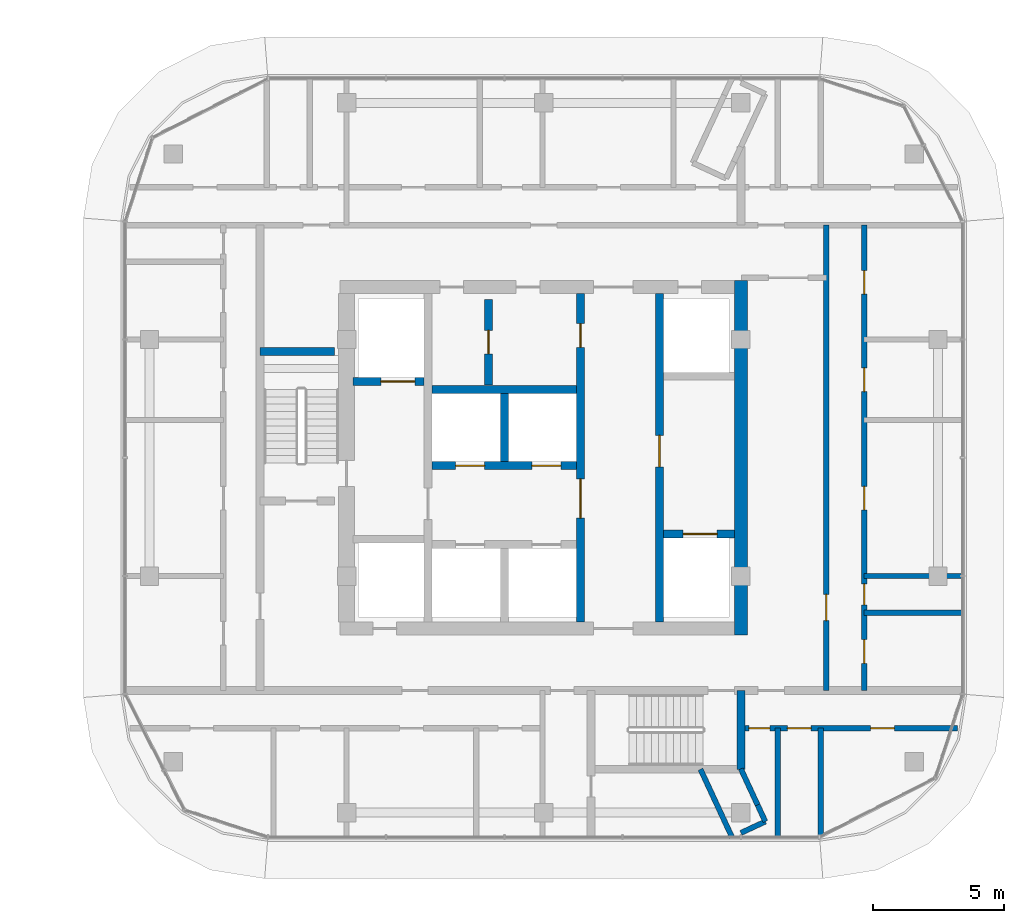
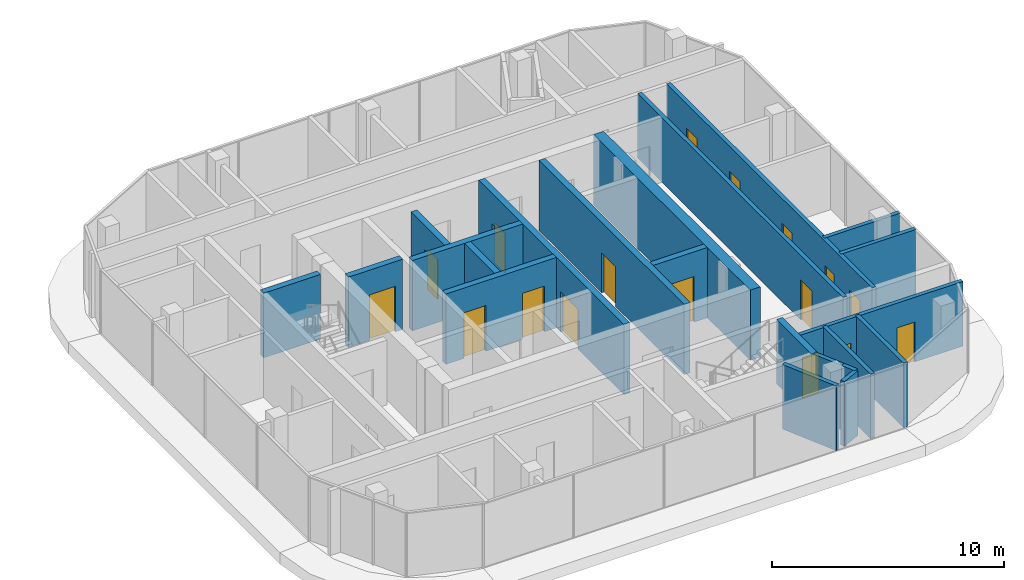
# One storey, part 27 of 40: 22 walls, 17 doors, 17 openings.
"""IFC4 building model written with IfcOpenShell, lengths in metres."""

from ifc_helpers import new_model, si_unit, direction, frame, frame_2d, origin, place, context, subcontext, project, spatial, rectangle, extrude, material, layer, layer_set, type_object, element, fill, save


model = new_model("IFC4")

# Units and contexts
model_context = context("Model", 3, precision=1e-05, world=origin(), true_north=direction((0.0, 1.0)))
body_context = subcontext(model_context, "Body", "Model", "MODEL_VIEW")
ifc_project = project(units=[si_unit("LENGTHUNIT", "METRE"), si_unit("AREAUNIT", "SQUARE_METRE"), si_unit("VOLUMEUNIT", "CUBIC_METRE"), si_unit("PLANEANGLEUNIT", "RADIAN"), si_unit("MASSUNIT", "GRAM", prefix="KILO")], contexts=[model_context])

# Site, building, storey
site_placement = place(None, origin())
site = spatial("IfcSite", under=ifc_project, at=site_placement, CompositionType="ELEMENT")
building_placement = place(site_placement, origin())
building = spatial("IfcBuilding", under=site, at=building_placement, Name="Ogive Portal Towers", CompositionType="ELEMENT")
storey_placement = place(building_placement, frame((0.0, 0.0, 87.10009765625)))
storey = spatial("IfcBuildingStorey", under=building, at=storey_placement, Name="L20", CompositionType="ELEMENT", Elevation=87.10009765625)

# Wall, openings, doors
ifc_material_1 = material(Name="Concrete C60/75", Category="concrete")
ifc_layer_1 = layer(ifc_material_1, 0.300048828125)
ifc_layer_set_1 = layer_set([ifc_layer_1], Name="CORE WALL 300 C60")
wall_type_1 = type_object("IfcWallType", Name="CORE WALL 300 C60", PredefinedType="SHEAR", material=ifc_layer_set_1)
wall_1_placement = place(storey_placement, frame((137.89990234375, 24.75, 0.0), z_axis=(0.0, 0.0, 1.0), x_axis=(0.0, 1.0, 0.0)))
wall_1 = element("IfcWall", 1, at=wall_1_placement, inside=storey, type_object=wall_type_1, Name="Tower B core wall BX2 L20", PredefinedType="SHEAR", context=body_context, shape_type="SweptSolid", body=[
    extrude(rectangle(XDim=12.5, YDim=0.300048828125, at=frame_2d((6.25, 0.0))), origin(), (0.0, 0.0, 1.0), 3.699951171875),
])
opening_1_placement = place(wall_1_placement, frame((3.949951171875, 0.0, 0.0)))
opening_1 = element("IfcOpeningElement", 2, at=opening_1_placement, cuts=wall_1, Name="Opening B07-041", PredefinedType="OPENING", context=body_context, shape_type="SweptSolid", body=[
    extrude(rectangle(XDim=1.5, YDim=2.10009765625, at=frame_2d((0.75, 1.050048828125))), frame((0.0, 0.16015625, 0.0), z_axis=(0.0, -1.0, 0.0), x_axis=(1.0, 0.0, 0.0)), (0.0, 0.0, 1.0), 0.320068359375),
])
opening_2_placement = place(wall_1_placement, frame((10.449951171875, 0.0, 0.0)))
opening_2 = element("IfcOpeningElement", 3, at=opening_2_placement, cuts=wall_1, Name="Opening B07-057", PredefinedType="OPENING", context=body_context, shape_type="SweptSolid", body=[
    extrude(rectangle(XDim=0.89990234375, YDim=2.10009765625, at=frame_2d((0.449951171875, 1.050048828125))), frame((0.0, 0.16015625, 0.0), z_axis=(0.0, -1.0, 0.0), x_axis=(1.0, 0.0, 0.0)), (0.0, 0.0, 1.0), 0.320068359375),
])
ifc_material_2 = material(Name="Steel fire door", Category="steel")
door_type_1 = type_object("IfcDoorType", Name="DT-SWING-1500x2100-FD90S", OperationType="SINGLE_SWING_LEFT", PredefinedType="DOOR", material=ifc_material_2)
door_1_placement = place(opening_1_placement, origin())
door_1 = element("IfcDoor", 4, at=door_1_placement, inside=storey, type_object=door_type_1, Name="Door B07-041", OperationType="SINGLE_SWING_RIGHT", OverallHeight=2.10009765625, OverallWidth=1.5, PredefinedType="DOOR", context=body_context, shape_type="SweptSolid", body=[
    extrude(rectangle(XDim=1.5, YDim=2.10009765625, at=frame_2d((0.75, 1.050048828125))), frame((0.0, 0.02490234375, 0.0), z_axis=(0.0, -1.0, 0.0), x_axis=(1.0, 0.0, 0.0)), (0.0, 0.0, 1.0), 0.050048828125),
])
fill(opening_1, door_1)
door_type_2 = type_object("IfcDoorType", Name="DT-SWING-900x2100-FD90S", OperationType="SINGLE_SWING_LEFT", PredefinedType="DOOR", material=ifc_material_2)
door_2_placement = place(opening_2_placement, origin())
door_2 = element("IfcDoor", 5, at=door_2_placement, inside=storey, type_object=door_type_2, Name="Door B07-057", OperationType="SINGLE_SWING_RIGHT", OverallHeight=2.10009765625, OverallWidth=0.89990234375, PredefinedType="DOOR", context=body_context, shape_type="SweptSolid", body=[
    extrude(rectangle(XDim=0.89990234375, YDim=2.10009765625, at=frame_2d((0.449951171875, 1.050048828125))), frame((0.0, 0.02490234375, 0.0), z_axis=(0.0, -1.0, 0.0), x_axis=(1.0, 0.0, 0.0)), (0.0, 0.0, 1.0), 0.050048828125),
])
fill(opening_2, door_2)

# Wall, opening, door
wall_2_placement = place(storey_placement, frame((140.89990234375, 24.75, 0.0), z_axis=(0.0, 0.0, 1.0), x_axis=(0.0, 1.0, 0.0)))
wall_2 = element("IfcWall", 6, at=wall_2_placement, inside=storey, type_object=wall_type_1, Name="Tower B core wall BX3 L20", PredefinedType="SHEAR", context=body_context, shape_type="SweptSolid", body=[
    extrude(rectangle(XDim=12.5, YDim=0.300048828125, at=frame_2d((6.25, 0.0))), origin(), (0.0, 0.0, 1.0), 3.699951171875),
])
opening_3_placement = place(wall_2_placement, frame((5.89990234375, 0.0, 0.0)))
opening_3 = element("IfcOpeningElement", 7, at=opening_3_placement, cuts=wall_2, Name="Opening B07-043", PredefinedType="OPENING", context=body_context, shape_type="SweptSolid", body=[
    extrude(rectangle(XDim=1.199951171875, YDim=2.10009765625, at=frame_2d((0.60009765625, 1.050048828125))), frame((0.0, 0.16015625, 0.0), z_axis=(0.0, -1.0, 0.0), x_axis=(1.0, 0.0, 0.0)), (0.0, 0.0, 1.0), 0.320068359375),
])
door_type_3 = type_object("IfcDoorType", Name="DT-SWING-1200x2100-FD90S", OperationType="SINGLE_SWING_LEFT", PredefinedType="DOOR", material=ifc_material_2)
door_3_placement = place(opening_3_placement, origin())
door_3 = element("IfcDoor", 8, at=door_3_placement, inside=storey, type_object=door_type_3, Name="Door B07-043", OperationType="SINGLE_SWING_RIGHT", OverallHeight=2.10009765625, OverallWidth=1.199951171875, PredefinedType="DOOR", context=body_context, shape_type="SweptSolid", body=[
    extrude(rectangle(XDim=1.199951171875, YDim=2.10009765625, at=frame_2d((0.60009765625, 1.050048828125))), frame((0.0, 0.02490234375, 0.0), z_axis=(0.0, -1.0, 0.0), x_axis=(1.0, 0.0, 0.0)), (0.0, 0.0, 1.0), 0.050048828125),
])
fill(opening_3, door_3)

# Wall
wall_3_placement = place(storey_placement, frame((135.0, 30.85009765625, 0.0), z_axis=(0.0, 0.0, 1.0), x_axis=(0.0, 1.0, 0.0)))
element("IfcWall", 9, at=wall_3_placement, inside=storey, type_object=wall_type_1, Name="Tower B core wall BX5 L20", PredefinedType="SHEAR", context=body_context, shape_type="SweptSolid", body=[
    extrude(rectangle(XDim=2.599853515625, YDim=0.300048828125, at=frame_2d((1.2998046875, 0.0))), origin(), (0.0, 0.0, 1.0), 3.699951171875),
])

# Wall, openings, doors
wall_4_placement = place(storey_placement, frame((132.25, 30.699951171875, 0.0), z_axis=(0.0, 0.0, 1.0), x_axis=(1.0, 0.0, 0.0)))
wall_4 = element("IfcWall", 10, at=wall_4_placement, inside=storey, type_object=wall_type_1, Name="Tower B core wall BY2 L20", PredefinedType="SHEAR", context=body_context, shape_type="SweptSolid", body=[
    extrude(rectangle(XDim=5.5, YDim=0.300048828125, at=frame_2d((2.75, 0.0))), origin(), (0.0, 0.0, 1.0), 3.699951171875),
])
opening_4_placement = place(wall_4_placement, frame((0.89990234375, 0.0, 0.0)))
opening_4 = element("IfcOpeningElement", 11, at=opening_4_placement, cuts=wall_4, Name="Opening B07-051", PredefinedType="OPENING", context=body_context, shape_type="SweptSolid", body=[
    extrude(rectangle(XDim=1.10009765625, YDim=2.39990234375, at=frame_2d((0.550048828125, 1.199951171875))), frame((0.0, 0.16015625, 0.0), z_axis=(0.0, -1.0, 0.0), x_axis=(1.0, 0.0, 0.0)), (0.0, 0.0, 1.0), 0.320068359375),
])
opening_5_placement = place(wall_4_placement, frame((3.800048828125, 0.0, 0.0)))
opening_5 = element("IfcOpeningElement", 12, at=opening_5_placement, cuts=wall_4, Name="Opening B07-052", PredefinedType="OPENING", context=body_context, shape_type="SweptSolid", body=[
    extrude(rectangle(XDim=1.10009765625, YDim=2.39990234375, at=frame_2d((0.550048828125, 1.199951171875))), frame((0.0, 0.16015625, 0.0), z_axis=(0.0, -1.0, 0.0), x_axis=(1.0, 0.0, 0.0)), (0.0, 0.0, 1.0), 0.320068359375),
])
ifc_material_3 = material(Name="Stainless steel", Category="steel")
door_type_4 = type_object("IfcDoorType", Name="DT-LD-1100x2400", OperationType="SLIDING_TO_LEFT", PredefinedType="DOOR", material=ifc_material_3)
door_4_placement = place(opening_4_placement, origin())
door_4 = element("IfcDoor", 13, at=door_4_placement, inside=storey, type_object=door_type_4, Name="Door B07-051", OperationType="SLIDING_TO_LEFT", OverallHeight=2.39990234375, OverallWidth=1.10009765625, PredefinedType="DOOR", context=body_context, shape_type="SweptSolid", body=[
    extrude(rectangle(XDim=1.10009765625, YDim=2.39990234375, at=frame_2d((0.550048828125, 1.199951171875))), frame((0.0, 0.02490234375, 0.0), z_axis=(0.0, -1.0, 0.0), x_axis=(1.0, 0.0, 0.0)), (0.0, 0.0, 1.0), 0.050048828125),
])
fill(opening_4, door_4)
door_5_placement = place(opening_5_placement, origin())
door_5 = element("IfcDoor", 14, at=door_5_placement, inside=storey, type_object=door_type_4, Name="Door B07-052", OperationType="SLIDING_TO_LEFT", OverallHeight=2.39990234375, OverallWidth=1.10009765625, PredefinedType="DOOR", context=body_context, shape_type="SweptSolid", body=[
    extrude(rectangle(XDim=1.10009765625, YDim=2.39990234375, at=frame_2d((0.550048828125, 1.199951171875))), frame((0.0, 0.02490234375, 0.0), z_axis=(0.0, -1.0, 0.0), x_axis=(1.0, 0.0, 0.0)), (0.0, 0.0, 1.0), 0.050048828125),
])
fill(opening_5, door_5)

# Wall
wall_5_placement = place(storey_placement, frame((132.25, 33.60009765625, 0.0), z_axis=(0.0, 0.0, 1.0), x_axis=(1.0, 0.0, 0.0)))
element("IfcWall", 15, at=wall_5_placement, inside=storey, type_object=wall_type_1, Name="Tower B core wall BY3 L20", PredefinedType="SHEAR", context=body_context, shape_type="SweptSolid", body=[
    extrude(rectangle(XDim=5.5, YDim=0.300048828125, at=frame_2d((2.75, 0.0))), origin(), (0.0, 0.0, 1.0), 3.699951171875),
])

# Wall, opening, door
wall_6_placement = place(storey_placement, frame((129.25, 33.89990234375, 0.0), z_axis=(0.0, 0.0, 1.0), x_axis=(1.0, 0.0, 0.0)))
wall_6 = element("IfcWall", 16, at=wall_6_placement, inside=storey, type_object=wall_type_1, Name="Tower B core wall BY5 L20", PredefinedType="SHEAR", context=body_context, shape_type="SweptSolid", body=[
    extrude(rectangle(XDim=2.699951171875, YDim=0.300048828125, at=frame_2d((1.35009765625, 0.0))), origin(), (0.0, 0.0, 1.0), 3.699951171875),
])
opening_6_placement = place(wall_6_placement, frame((1.050048828125, 0.0, 0.0)))
opening_6 = element("IfcOpeningElement", 17, at=opening_6_placement, cuts=wall_6, Name="Opening B07-053", PredefinedType="OPENING", context=body_context, shape_type="SweptSolid", body=[
    extrude(rectangle(XDim=1.300048828125, YDim=2.39990234375, at=frame_2d((0.64990234375, 1.199951171875))), frame((0.0, 0.16015625, 0.0), z_axis=(0.0, -1.0, 0.0), x_axis=(1.0, 0.0, 0.0)), (0.0, 0.0, 1.0), 0.320068359375),
])
door_type_5 = type_object("IfcDoorType", Name="DT-LD-1300x2400", OperationType="SLIDING_TO_LEFT", PredefinedType="DOOR", material=ifc_material_3)
door_6_placement = place(opening_6_placement, origin())
door_6 = element("IfcDoor", 18, at=door_6_placement, inside=storey, type_object=door_type_5, Name="Door B07-053", OperationType="SLIDING_TO_LEFT", OverallHeight=2.39990234375, OverallWidth=1.300048828125, PredefinedType="DOOR", context=body_context, shape_type="SweptSolid", body=[
    extrude(rectangle(XDim=1.300048828125, YDim=2.39990234375, at=frame_2d((0.64990234375, 1.199951171875))), frame((0.0, 0.02490234375, 0.0), z_axis=(0.0, -1.0, 0.0), x_axis=(1.0, 0.0, 0.0)), (0.0, 0.0, 1.0), 0.050048828125),
])
fill(opening_6, door_6)

wall_7_placement = place(storey_placement, frame((141.050048828125, 28.10009765625, 0.0), z_axis=(0.0, 0.0, 1.0), x_axis=(1.0, 0.0, 0.0)))
wall_7 = element("IfcWall", 19, at=wall_7_placement, inside=storey, type_object=wall_type_1, Name="Tower B core wall BY6 L20", PredefinedType="SHEAR", context=body_context, shape_type="SweptSolid", body=[
    extrude(rectangle(XDim=2.699951171875, YDim=0.300048828125, at=frame_2d((1.35009765625, 0.0))), origin(), (0.0, 0.0, 1.0), 3.699951171875),
])
opening_7_placement = place(wall_7_placement, frame((0.75, 0.0, 0.0)))
opening_7 = element("IfcOpeningElement", 20, at=opening_7_placement, cuts=wall_7, Name="Opening B07-054", PredefinedType="OPENING", context=body_context, shape_type="SweptSolid", body=[
    extrude(rectangle(XDim=1.300048828125, YDim=2.39990234375, at=frame_2d((0.64990234375, 1.199951171875))), frame((0.0, 0.16015625, 0.0), z_axis=(0.0, -1.0, 0.0), x_axis=(1.0, 0.0, 0.0)), (0.0, 0.0, 1.0), 0.320068359375),
])
door_7_placement = place(opening_7_placement, origin())
door_7 = element("IfcDoor", 21, at=door_7_placement, inside=storey, type_object=door_type_5, Name="Door B07-054", OperationType="SLIDING_TO_LEFT", OverallHeight=2.39990234375, OverallWidth=1.300048828125, PredefinedType="DOOR", context=body_context, shape_type="SweptSolid", body=[
    extrude(rectangle(XDim=1.300048828125, YDim=2.39990234375, at=frame_2d((0.64990234375, 1.199951171875))), frame((0.0, 0.02490234375, 0.0), z_axis=(0.0, -1.0, 0.0), x_axis=(1.0, 0.0, 0.0)), (0.0, 0.0, 1.0), 0.050048828125),
])
fill(opening_7, door_7)

# Walls
ifc_layer_2 = layer(ifc_material_1, 0.5)
ifc_layer_set_2 = layer_set([ifc_layer_2], Name="CORE WALL 500 C60")
wall_type_2 = type_object("IfcWallType", Name="CORE WALL 500 C60", PredefinedType="SHEAR", material=ifc_layer_set_2)
wall_8_placement = place(storey_placement, frame((144.0, 24.25, 0.0), z_axis=(0.0, 0.0, 1.0), x_axis=(0.0, 1.0, 0.0)))
element("IfcWall", 22, at=wall_8_placement, inside=storey, type_object=wall_type_2, Name="Tower B core wall BE L20", PredefinedType="SHEAR", context=body_context, shape_type="SweptSolid", body=[
    extrude(rectangle(XDim=13.5, YDim=0.5, at=frame_2d((6.75, 0.0))), origin(), (0.0, 0.0, 1.0), 3.699951171875),
])
ifc_material_4 = material(Name="Concrete C50/60", Category="concrete")
ifc_layer_3 = layer(ifc_material_4, 0.300048828125)
ifc_layer_set_3 = layer_set([ifc_layer_3], Name="STAIR WALL 300 C50")
wall_type_3 = type_object("IfcWallType", Name="STAIR WALL 300 C50", PredefinedType="SHEAR", material=ifc_layer_set_3)
wall_9_placement = place(storey_placement, frame((125.699951171875, 35.050048828125, 0.0), z_axis=(0.0, 0.0, 1.0), x_axis=(1.0, 0.0, 0.0)))
element("IfcWall", 23, at=wall_9_placement, inside=storey, type_object=wall_type_3, Name="Stair wall ST-B1 L20", PredefinedType="SHEAR", context=body_context, shape_type="SweptSolid", body=[
    extrude(rectangle(XDim=2.830078125, YDim=0.300048828125, at=frame_2d((1.4150390625, 0.0))), origin(), (0.0, 0.0, 1.0), 3.39990234375),
])
wall_10_placement = place(storey_placement, frame((144.0, 19.14990234375, 0.0), z_axis=(0.0, 0.0, 1.0), x_axis=(0.0, 1.0, 0.0)))
element("IfcWall", 24, at=wall_10_placement, inside=storey, type_object=wall_type_3, Name="Stair wall ST-B2 L20", PredefinedType="SHEAR", context=body_context, shape_type="SweptSolid", body=[
    extrude(rectangle(XDim=3.0, YDim=0.300048828125, at=frame_2d((1.5, 0.0))), origin(), (0.0, 0.0, 1.0), 3.39990234375),
])
ifc_material_5 = material(Name="Gypsum board partition on steel studs", Category="steel")
ifc_layer_4 = layer(ifc_material_5, 0.199951171875)
ifc_layer_set_4 = layer_set([ifc_layer_4], Name="WT-PART-200-EI 60")
wall_type_4 = type_object("IfcWallType", Name="WT-PART-200-EI 60", PredefinedType="PARTITIONING", material=ifc_layer_set_4)
wall_11_placement = place(storey_placement, frame((142.462890625, 19.14990234375, 0.0), z_axis=(0.0, 0.0, 1.0), x_axis=(0.421030913131, -0.90704628889, 0.0)))
element("IfcWall", 25, at=wall_11_placement, inside=storey, type_object=wall_type_4, Name="Wall L20:w002", PredefinedType="PARTITIONING", context=body_context, shape_type="SweptSolid", body=[
    extrude(rectangle(XDim=2.855224609375, YDim=0.199951171875, at=frame_2d((1.427734375, 0.0))), origin(), (0.0, 0.0, 1.0), 3.39990234375),
])
wall_12_placement = place(storey_placement, frame((144.0, 16.72802734375, 0.0), z_axis=(0.0, 0.0, 1.0), x_axis=(0.906960240365, 0.42121624185, 0.0)))
element("IfcWall", 26, at=wall_12_placement, inside=storey, type_object=wall_type_4, Name="Wall L20:w007", PredefinedType="PARTITIONING", context=body_context, shape_type="SweptSolid", body=[
    extrude(rectangle(XDim=1.025390625, YDim=0.199951171875, at=frame_2d((0.5126953125, 0.0))), origin(), (0.0, 0.0, 1.0), 3.39990234375),
])
wall_13_placement = place(storey_placement, frame((144.0, 19.1630859375, 0.0), z_axis=(0.0, 0.0, 1.0), x_axis=(0.420997169079, -0.907061951372, 0.0)))
element("IfcWall", 27, at=wall_13_placement, inside=storey, type_object=wall_type_4, Name="Wall L20:w009", PredefinedType="PARTITIONING", context=body_context, shape_type="SweptSolid", body=[
    extrude(rectangle(XDim=1.50830078125, YDim=0.199951171875, at=frame_2d((0.754150390625, 0.0))), origin(), (0.0, 0.0, 1.0), 3.39990234375),
])
wall_14_placement = place(storey_placement, frame((144.635009765625, 17.794921875, 0.0), z_axis=(0.0, 0.0, 1.0), x_axis=(0.421223998033, -0.906956638148, 0.0)))
element("IfcWall", 28, at=wall_14_placement, inside=storey, type_object=wall_type_4, Name="Wall L20:w010", PredefinedType="PARTITIONING", context=body_context, shape_type="SweptSolid", body=[
    extrude(rectangle(XDim=0.7001953125, YDim=0.199951171875, at=frame_2d((0.35009765625, 0.0))), origin(), (0.0, 0.0, 1.0), 3.39990234375),
])

# Wall, openings, doors
wall_15_placement = place(storey_placement, frame((144.0, 20.7099609375, 0.0), z_axis=(0.0, 0.0, 1.0), x_axis=(1.0, 0.0, 0.0)))
wall_15 = element("IfcWall", 29, at=wall_15_placement, inside=storey, type_object=wall_type_4, Name="Wall L20:w014", PredefinedType="PARTITIONING", context=body_context, shape_type="SweptSolid", body=[
    extrude(rectangle(XDim=8.235107421875, YDim=0.199951171875, at=frame_2d((4.11767578125, 0.0))), origin(), (0.0, 0.0, 1.0), 3.39990234375),
])
opening_8_placement = place(wall_15_placement, frame((0.300048828125, 0.0, 0.0)))
opening_8 = element("IfcOpeningElement", 30, at=opening_8_placement, cuts=wall_15, Name="Opening B07-024", PredefinedType="OPENING", context=body_context, shape_type="SweptSolid", body=[
    extrude(rectangle(XDim=0.800048828125, YDim=2.10009765625, at=frame_2d((0.39990234375, 1.050048828125))), frame((0.0, 0.10986328125, 0.0), z_axis=(0.0, -1.0, 0.0), x_axis=(1.0, 0.0, 0.0)), (0.0, 0.0, 1.0), 0.219970703125),
])
opening_9_placement = place(wall_15_placement, frame((1.76904296875, 0.0, 0.0)))
opening_9 = element("IfcOpeningElement", 31, at=opening_9_placement, cuts=wall_15, Name="Opening B07-025", PredefinedType="OPENING", context=body_context, shape_type="SweptSolid", body=[
    extrude(rectangle(XDim=0.89990234375, YDim=2.10009765625, at=frame_2d((0.449951171875, 1.050048828125))), frame((0.0, 0.10986328125, 0.0), z_axis=(0.0, -1.0, 0.0), x_axis=(1.0, 0.0, 0.0)), (0.0, 0.0, 1.0), 0.219970703125),
])
opening_10_placement = place(wall_15_placement, frame((4.93798828125, 0.0, 0.0)))
opening_10 = element("IfcOpeningElement", 32, at=opening_10_placement, cuts=wall_15, Name="Opening B07-026", PredefinedType="OPENING", context=body_context, shape_type="SweptSolid", body=[
    extrude(rectangle(XDim=0.89990234375, YDim=2.10009765625, at=frame_2d((0.449951171875, 1.050048828125))), frame((0.0, 0.10986328125, 0.0), z_axis=(0.0, -1.0, 0.0), x_axis=(1.0, 0.0, 0.0)), (0.0, 0.0, 1.0), 0.219970703125),
])
door_type_6 = type_object("IfcDoorType", Name="DT-SWING-800x2100-FD60S", OperationType="SINGLE_SWING_LEFT", PredefinedType="DOOR", material=ifc_material_2)
door_8_placement = place(opening_8_placement, origin())
door_8 = element("IfcDoor", 33, at=door_8_placement, inside=storey, type_object=door_type_6, Name="Door B07-024", OperationType="SINGLE_SWING_RIGHT", OverallHeight=2.10009765625, OverallWidth=0.800048828125, PredefinedType="DOOR", context=body_context, shape_type="SweptSolid", body=[
    extrude(rectangle(XDim=0.800048828125, YDim=2.10009765625, at=frame_2d((0.39990234375, 1.050048828125))), frame((0.0, 0.02490234375, 0.0), z_axis=(0.0, -1.0, 0.0), x_axis=(1.0, 0.0, 0.0)), (0.0, 0.0, 1.0), 0.050048828125),
])
fill(opening_8, door_8)
door_type_7 = type_object("IfcDoorType", Name="DT-SWING-900x2100-FD60S", OperationType="SINGLE_SWING_LEFT", PredefinedType="DOOR", material=ifc_material_2)
door_9_placement = place(opening_9_placement, origin())
door_9 = element("IfcDoor", 34, at=door_9_placement, inside=storey, type_object=door_type_7, Name="Door B07-025", OperationType="SINGLE_SWING_LEFT", OverallHeight=2.10009765625, OverallWidth=0.89990234375, PredefinedType="DOOR", context=body_context, shape_type="SweptSolid", body=[
    extrude(rectangle(XDim=0.89990234375, YDim=2.10009765625, at=frame_2d((0.449951171875, 1.050048828125))), frame((0.0, 0.02490234375, 0.0), z_axis=(0.0, -1.0, 0.0), x_axis=(1.0, 0.0, 0.0)), (0.0, 0.0, 1.0), 0.050048828125),
])
fill(opening_9, door_9)
door_10_placement = place(opening_10_placement, origin())
door_10 = element("IfcDoor", 35, at=door_10_placement, inside=storey, type_object=door_type_7, Name="Door B07-026", OperationType="SINGLE_SWING_RIGHT", OverallHeight=2.10009765625, OverallWidth=0.89990234375, PredefinedType="DOOR", context=body_context, shape_type="SweptSolid", body=[
    extrude(rectangle(XDim=0.89990234375, YDim=2.10009765625, at=frame_2d((0.449951171875, 1.050048828125))), frame((0.0, 0.02490234375, 0.0), z_axis=(0.0, -1.0, 0.0), x_axis=(1.0, 0.0, 0.0)), (0.0, 0.0, 1.0), 0.050048828125),
])
fill(opening_10, door_10)

# Walls
for number, where, z_axis, x_axis, name in (
    (36, (148.68994140625, 25.10595703125, 0.0), (0.0, 0.0, 1.0), (1.0, 0.0, 0.0), "Wall L20:w018"),
    (37, (148.68994140625, 26.5, 0.0), (0.0, 0.0, 1.0), (1.0, 0.0, 0.0), "Wall L20:w020"),
):
    element("IfcWall", number, at=place(storey_placement, frame(where, z_axis=z_axis, x_axis=x_axis)), inside=storey, type_object=wall_type_4, Name=name, PredefinedType="PARTITIONING", context=body_context, shape_type="SweptSolid", body=[
        extrude(rectangle(XDim=3.75, YDim=0.199951171875, at=frame_2d((1.875, 0.0))), origin(), (0.0, 0.0, 1.0), 3.39990234375),
    ])
wall_16_placement = place(storey_placement, frame((145.39892578125, 16.56005859375, 0.0), z_axis=(0.0, 0.0, 1.0), x_axis=(0.0, 1.0, 0.0)))
element("IfcWall", 38, at=wall_16_placement, inside=storey, type_object=wall_type_4, Name="Wall L20:w052", PredefinedType="PARTITIONING", context=body_context, shape_type="SweptSolid", body=[
    extrude(rectangle(XDim=4.14990234375, YDim=0.199951171875, at=frame_2d((2.074951171875, 0.0))), origin(), (0.0, 0.0, 1.0), 3.39990234375),
])
wall_17_placement = place(storey_placement, frame((147.0380859375, 16.56689453125, 0.0), z_axis=(0.0, 0.0, 1.0), x_axis=(0.0, 1.0, 0.0)))
element("IfcWall", 39, at=wall_17_placement, inside=storey, type_object=wall_type_4, Name="Wall L20:w054", PredefinedType="PARTITIONING", context=body_context, shape_type="SweptSolid", body=[
    extrude(rectangle(XDim=4.14306640625, YDim=0.199951171875, at=frame_2d((2.071533203125, 0.0))), origin(), (0.0, 0.0, 1.0), 3.39990234375),
])

# Wall, opening, door
wall_18_placement = place(storey_placement, frame((147.25, 22.14990234375, 0.0), z_axis=(0.0, 0.0, 1.0), x_axis=(0.0, 1.0, 0.0)))
wall_18 = element("IfcWall", 40, at=wall_18_placement, inside=storey, type_object=wall_type_4, Name="Wall L20:w056", PredefinedType="PARTITIONING", context=body_context, shape_type="SweptSolid", body=[
    extrude(rectangle(XDim=17.7001953125, YDim=0.199951171875, at=frame_2d((8.85009765625, 0.0))), origin(), (0.0, 0.0, 1.0), 3.39990234375),
])
opening_11_placement = place(wall_18_placement, frame((2.64990234375, 0.0, 0.0)))
opening_11 = element("IfcOpeningElement", 41, at=opening_11_placement, cuts=wall_18, Name="Opening B07-035", PredefinedType="OPENING", context=body_context, shape_type="SweptSolid", body=[
    extrude(rectangle(XDim=1.0, YDim=2.10009765625, at=frame_2d((0.5, 1.050048828125))), frame((0.0, 0.10986328125, 0.0), z_axis=(0.0, -1.0, 0.0), x_axis=(1.0, 0.0, 0.0)), (0.0, 0.0, 1.0), 0.219970703125),
])
door_type_8 = type_object("IfcDoorType", Name="DT-SWING-1000x2100-FD60S", OperationType="SINGLE_SWING_LEFT", PredefinedType="DOOR", material=ifc_material_2)
door_11_placement = place(opening_11_placement, origin())
door_11 = element("IfcDoor", 42, at=door_11_placement, inside=storey, type_object=door_type_8, Name="Door B07-035", OperationType="SINGLE_SWING_LEFT", OverallHeight=2.10009765625, OverallWidth=1.0, PredefinedType="DOOR", context=body_context, shape_type="SweptSolid", body=[
    extrude(rectangle(XDim=1.0, YDim=2.10009765625, at=frame_2d((0.5, 1.050048828125))), frame((0.0, 0.02490234375, 0.0), z_axis=(0.0, -1.0, 0.0), x_axis=(1.0, 0.0, 0.0)), (0.0, 0.0, 1.0), 0.050048828125),
])
fill(opening_11, door_11)

# Wall, openings, doors
wall_19_placement = place(storey_placement, frame((148.68994140625, 22.14990234375, 0.0), z_axis=(0.0, 0.0, 1.0), x_axis=(0.0, 1.0, 0.0)))
wall_19 = element("IfcWall", 43, at=wall_19_placement, inside=storey, type_object=wall_type_4, Name="Wall L20:w057", PredefinedType="PARTITIONING", context=body_context, shape_type="SweptSolid", body=[
    extrude(rectangle(XDim=17.7001953125, YDim=0.199951171875, at=frame_2d((8.85009765625, 0.0))), origin(), (0.0, 0.0, 1.0), 3.39990234375),
])
opening_12_placement = place(wall_19_placement, frame((1.028076171875, 0.0, 0.0)))
opening_12 = element("IfcOpeningElement", 44, at=opening_12_placement, cuts=wall_19, Name="Opening B07-036", PredefinedType="OPENING", context=body_context, shape_type="SweptSolid", body=[
    extrude(rectangle(XDim=0.89990234375, YDim=2.10009765625, at=frame_2d((0.449951171875, 1.050048828125))), frame((0.0, 0.10986328125, 0.0), z_axis=(0.0, -1.0, 0.0), x_axis=(1.0, 0.0, 0.0)), (0.0, 0.0, 1.0), 0.219970703125),
])
opening_13_placement = place(wall_19_placement, frame((3.2529296875, 0.0, 0.0)))
opening_13 = element("IfcOpeningElement", 45, at=opening_13_placement, cuts=wall_19, Name="Opening B07-037", PredefinedType="OPENING", context=body_context, shape_type="SweptSolid", body=[
    extrude(rectangle(XDim=0.800048828125, YDim=2.10009765625, at=frame_2d((0.39990234375, 1.050048828125))), frame((0.0, 0.10986328125, 0.0), z_axis=(0.0, -1.0, 0.0), x_axis=(1.0, 0.0, 0.0)), (0.0, 0.0, 1.0), 0.219970703125),
])
opening_14_placement = place(wall_19_placement, frame((6.866943359375, 0.0, 0.0)))
opening_14 = element("IfcOpeningElement", 46, at=opening_14_placement, cuts=wall_19, Name="Opening B07-038", PredefinedType="OPENING", context=body_context, shape_type="SweptSolid", body=[
    extrude(rectangle(XDim=0.89990234375, YDim=2.10009765625, at=frame_2d((0.449951171875, 1.050048828125))), frame((0.0, 0.10986328125, 0.0), z_axis=(0.0, -1.0, 0.0), x_axis=(1.0, 0.0, 0.0)), (0.0, 0.0, 1.0), 0.219970703125),
])
opening_15_placement = place(wall_19_placement, frame((11.366943359375, 0.0, 0.0)))
opening_15 = element("IfcOpeningElement", 47, at=opening_15_placement, cuts=wall_19, Name="Opening B07-039", PredefinedType="OPENING", context=body_context, shape_type="SweptSolid", body=[
    extrude(rectangle(XDim=0.89990234375, YDim=2.10009765625, at=frame_2d((0.449951171875, 1.050048828125))), frame((0.0, 0.10986328125, 0.0), z_axis=(0.0, -1.0, 0.0), x_axis=(1.0, 0.0, 0.0)), (0.0, 0.0, 1.0), 0.219970703125),
])
opening_16_placement = place(wall_19_placement, frame((15.074951171875, 0.0, 0.0)))
opening_16 = element("IfcOpeningElement", 48, at=opening_16_placement, cuts=wall_19, Name="Opening B07-040", PredefinedType="OPENING", context=body_context, shape_type="SweptSolid", body=[
    extrude(rectangle(XDim=0.89990234375, YDim=2.10009765625, at=frame_2d((0.449951171875, 1.050048828125))), frame((0.0, 0.10986328125, 0.0), z_axis=(0.0, -1.0, 0.0), x_axis=(1.0, 0.0, 0.0)), (0.0, 0.0, 1.0), 0.219970703125),
])
door_12_placement = place(opening_13_placement, origin())
door_12 = element("IfcDoor", 49, at=door_12_placement, inside=storey, type_object=door_type_6, Name="Door B07-037", OperationType="SINGLE_SWING_LEFT", OverallHeight=2.10009765625, OverallWidth=0.800048828125, PredefinedType="DOOR", context=body_context, shape_type="SweptSolid", body=[
    extrude(rectangle(XDim=0.800048828125, YDim=2.10009765625, at=frame_2d((0.39990234375, 1.050048828125))), frame((0.0, 0.02490234375, 0.0), z_axis=(0.0, -1.0, 0.0), x_axis=(1.0, 0.0, 0.0)), (0.0, 0.0, 1.0), 0.050048828125),
])
fill(opening_13, door_12)
door_13_placement = place(opening_12_placement, origin())
door_13 = element("IfcDoor", 50, at=door_13_placement, inside=storey, type_object=door_type_7, Name="Door B07-036", OperationType="SINGLE_SWING_RIGHT", OverallHeight=2.10009765625, OverallWidth=0.89990234375, PredefinedType="DOOR", context=body_context, shape_type="SweptSolid", body=[
    extrude(rectangle(XDim=0.89990234375, YDim=2.10009765625, at=frame_2d((0.449951171875, 1.050048828125))), frame((0.0, 0.02490234375, 0.0), z_axis=(0.0, -1.0, 0.0), x_axis=(1.0, 0.0, 0.0)), (0.0, 0.0, 1.0), 0.050048828125),
])
fill(opening_12, door_13)
door_14_placement = place(opening_14_placement, origin())
door_14 = element("IfcDoor", 51, at=door_14_placement, inside=storey, type_object=door_type_7, Name="Door B07-038", OperationType="SINGLE_SWING_RIGHT", OverallHeight=2.10009765625, OverallWidth=0.89990234375, PredefinedType="DOOR", context=body_context, shape_type="SweptSolid", body=[
    extrude(rectangle(XDim=0.89990234375, YDim=2.10009765625, at=frame_2d((0.449951171875, 1.050048828125))), frame((0.0, 0.02490234375, 0.0), z_axis=(0.0, -1.0, 0.0), x_axis=(1.0, 0.0, 0.0)), (0.0, 0.0, 1.0), 0.050048828125),
])
fill(opening_14, door_14)
door_15_placement = place(opening_15_placement, origin())
door_15 = element("IfcDoor", 52, at=door_15_placement, inside=storey, type_object=door_type_7, Name="Door B07-039", OperationType="SINGLE_SWING_LEFT", OverallHeight=2.10009765625, OverallWidth=0.89990234375, PredefinedType="DOOR", context=body_context, shape_type="SweptSolid", body=[
    extrude(rectangle(XDim=0.89990234375, YDim=2.10009765625, at=frame_2d((0.449951171875, 1.050048828125))), frame((0.0, 0.02490234375, 0.0), z_axis=(0.0, -1.0, 0.0), x_axis=(1.0, 0.0, 0.0)), (0.0, 0.0, 1.0), 0.050048828125),
])
fill(opening_15, door_15)
door_16_placement = place(opening_16_placement, origin())
door_16 = element("IfcDoor", 53, at=door_16_placement, inside=storey, type_object=door_type_7, Name="Door B07-040", OperationType="SINGLE_SWING_RIGHT", OverallHeight=2.10009765625, OverallWidth=0.89990234375, PredefinedType="DOOR", context=body_context, shape_type="SweptSolid", body=[
    extrude(rectangle(XDim=0.89990234375, YDim=2.10009765625, at=frame_2d((0.449951171875, 1.050048828125))), frame((0.0, 0.02490234375, 0.0), z_axis=(0.0, -1.0, 0.0), x_axis=(1.0, 0.0, 0.0)), (0.0, 0.0, 1.0), 0.050048828125),
])
fill(opening_16, door_16)

# Wall, opening, door
ifc_layer_5 = layer(ifc_material_5, 0.300048828125)
ifc_layer_set_5 = layer_set([ifc_layer_5], Name="WT-PART-300-EI 60")
wall_type_5 = type_object("IfcWallType", Name="WT-PART-300-EI 60", PredefinedType="PARTITIONING", material=ifc_layer_set_5)
wall_20_placement = place(storey_placement, frame((134.39990234375, 33.77001953125, 0.0), z_axis=(0.0, 0.0, 1.0), x_axis=(0.0, 1.0, 0.0)))
wall_20 = element("IfcWall", 54, at=wall_20_placement, inside=storey, type_object=wall_type_5, Name="Wall L20:w043", PredefinedType="PARTITIONING", context=body_context, shape_type="SweptSolid", body=[
    extrude(rectangle(XDim=3.260009765625, YDim=0.300048828125, at=frame_2d((1.6298828125, 0.0))), origin(), (0.0, 0.0, 1.0), 3.39990234375),
])
opening_17_placement = place(wall_20_placement, frame((1.179931640625, 0.0, 0.0)))
opening_17 = element("IfcOpeningElement", 55, at=opening_17_placement, cuts=wall_20, Name="Opening B07-004", PredefinedType="OPENING", context=body_context, shape_type="SweptSolid", body=[
    extrude(rectangle(XDim=0.89990234375, YDim=2.10009765625, at=frame_2d((0.449951171875, 1.050048828125))), frame((0.0, 0.16015625, 0.0), z_axis=(0.0, -1.0, 0.0), x_axis=(1.0, 0.0, 0.0)), (0.0, 0.0, 1.0), 0.320068359375),
])
door_17_placement = place(opening_17_placement, origin())
door_17 = element("IfcDoor", 56, at=door_17_placement, inside=storey, type_object=door_type_7, Name="Door B07-004", OperationType="SINGLE_SWING_RIGHT", OverallHeight=2.10009765625, OverallWidth=0.89990234375, PredefinedType="DOOR", context=body_context, shape_type="SweptSolid", body=[
    extrude(rectangle(XDim=0.89990234375, YDim=2.10009765625, at=frame_2d((0.449951171875, 1.050048828125))), frame((0.0, 0.02490234375, 0.0), z_axis=(0.0, -1.0, 0.0), x_axis=(1.0, 0.0, 0.0)), (0.0, 0.0, 1.0), 0.050048828125),
])
fill(opening_17, door_17)

save(model, "model.ifc")
